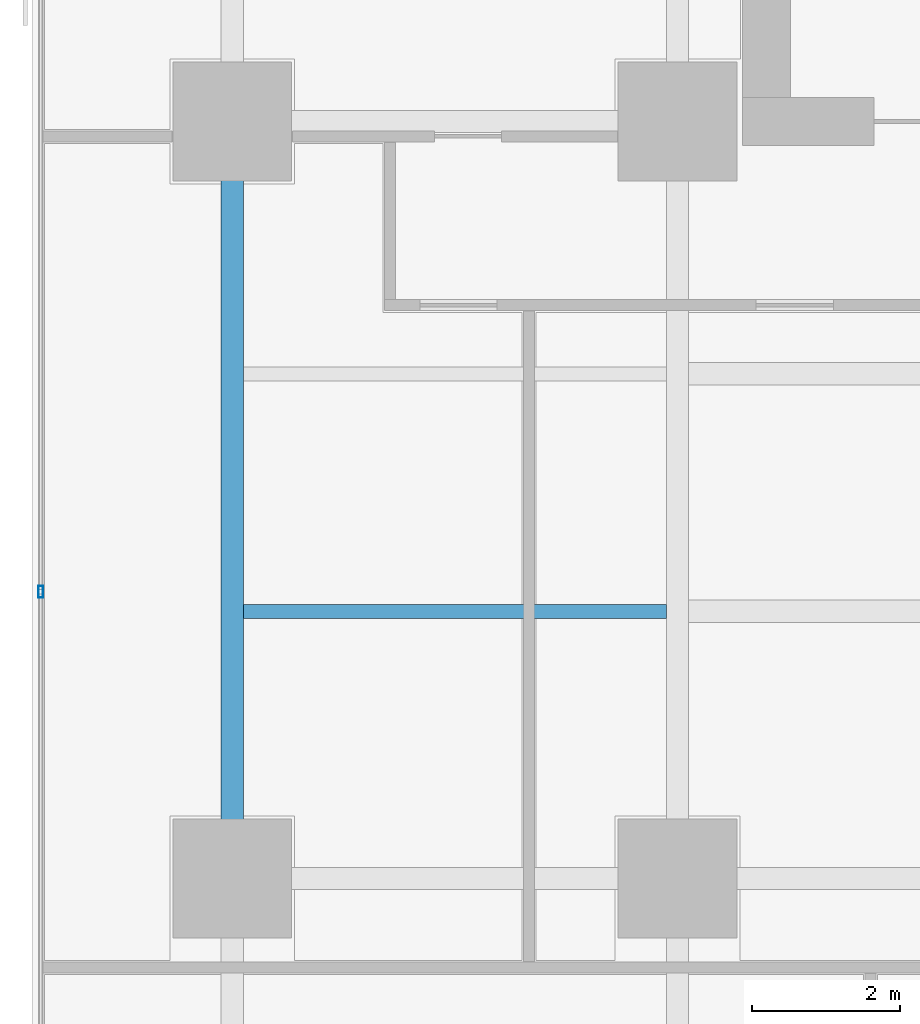
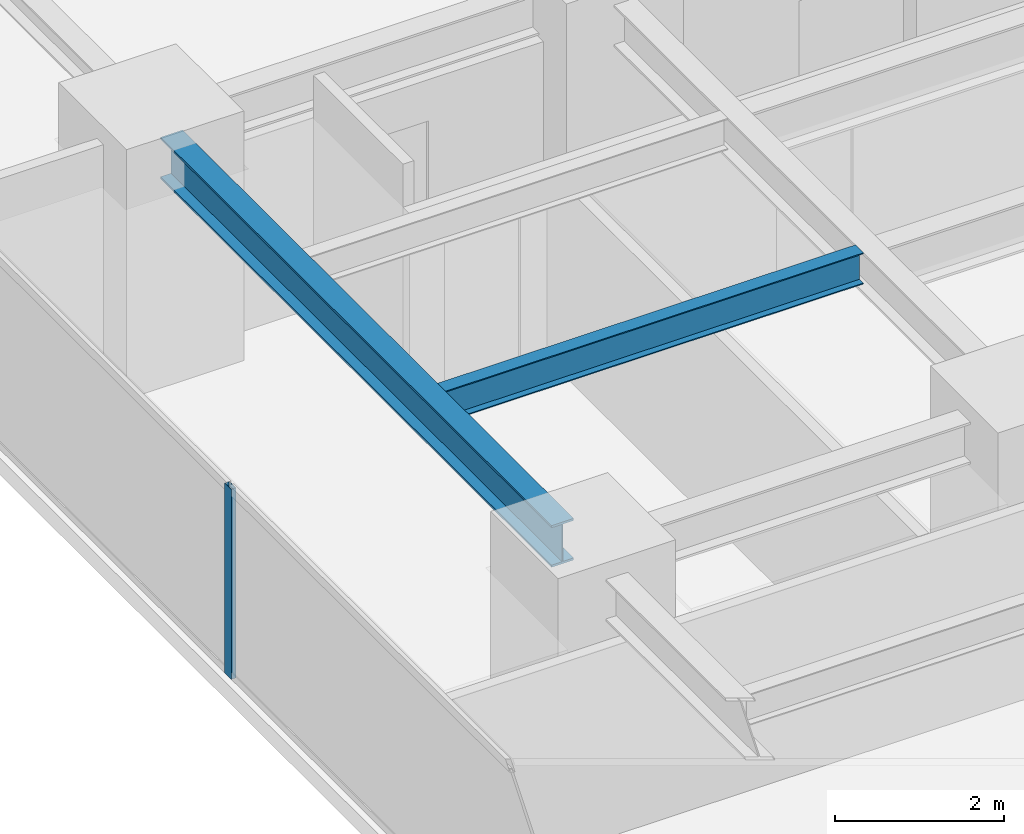
# One storey, part 10 of 36: 2 beams, 1 member, 1 element without a shape of its own.
"""IFC4 building model written with IfcOpenShell, lengths in metres."""

from ifc_helpers import new_model, si_unit, direction, frame, origin, origin_2d, place, context, subcontext, project, spatial, hollow_rectangle, i_section, extrude, source, transform, mapped, material, layer, layer_set, material_profile, profile_set, type_object, element, aggregate, save


model = new_model("IFC4")

# Units and contexts
model_context = context("Model", 3, precision=1e-05, world=origin(), true_north=direction((0.0, 1.0)))
body_context = subcontext(model_context, "Body", "Model", "MODEL_VIEW")
ifc_project = project(units=[si_unit("LENGTHUNIT", "METRE"), si_unit("AREAUNIT", "SQUARE_METRE"), si_unit("VOLUMEUNIT", "CUBIC_METRE"), si_unit("PLANEANGLEUNIT", "RADIAN"), si_unit("MASSUNIT", "GRAM", prefix="KILO")], contexts=[model_context])

# Site, building, storey
site_placement = place(None, origin())
site = spatial("IfcSite", under=ifc_project, at=site_placement, CompositionType="ELEMENT")
building_placement = place(site_placement, origin())
building = spatial("IfcBuilding", under=site, at=building_placement, Name="Sumidabori Civic Tower", CompositionType="ELEMENT")
storey_placement = place(building_placement, frame((0.0, 0.0, 92.0)))
storey = spatial("IfcBuildingStorey", under=building, at=storey_placement, Name="L23", CompositionType="ELEMENT", Elevation=92.0)

# Beams
ifc_material_1 = material(Name="Steel SN490", Category="steel")
ifc_material_profile_1 = material_profile(ifc_material_1, i_section(OverallWidth=0.300048828125, OverallDepth=0.60009765625, WebThickness=0.015380859375, FlangeThickness=0.030029296875, at=origin_2d()), Name="HE 600 B")
ifc_profile_set_1 = profile_set([ifc_material_profile_1], Name="Steel SN490")
beam_type_1 = type_object("IfcBeamType", Name="BM-GIRD-600", PredefinedType="BEAM", material=ifc_profile_set_1)
shared_shape_1 = source(origin(), body_context, "Body", "SweptSolid", [
    extrude(i_section(OverallWidth=0.300048828125, OverallDepth=0.60009765625, WebThickness=0.015380859375, FlangeThickness=0.030029296875, at=origin_2d()), origin(), (0.0, 0.0, 1.0), 9.239990234375),
])
beam_1_placement = place(storey_placement, frame((-22.800048828125, 0.47998046875, 3.06005859375), z_axis=(0.0, 1.0, 0.0), x_axis=(-1.0, 0.0, 0.0)))
element("IfcBeam", 1, at=beam_1_placement, inside=storey, type_object=beam_type_1, Name="Primary Girder L23 GY-23", PredefinedType="BEAM", context=body_context, shape_type="MappedRepresentation", body=[
    mapped(shared_shape_1, transform((0.0, 0.0, 0.0), x_axis=(1.0, 0.0, 0.0), y_axis=(0.0, 1.0, 0.0), z_axis=(0.0, 0.0, 1.0), scale=1.0)),
])
ifc_material_profile_2 = material_profile(ifc_material_1, i_section(OverallWidth=0.18994140625, OverallDepth=0.449951171875, WebThickness=0.009521484375, FlangeThickness=0.0146484375, at=origin_2d()), Name="IPE 450")
ifc_profile_set_2 = profile_set([ifc_material_profile_2], Name="Steel SN490")
beam_type_2 = type_object("IfcBeamType", Name="BM-JST-450", PredefinedType="JOIST", material=ifc_profile_set_2)
shared_shape_2 = source(origin(), body_context, "Body", "SweptSolid", [
    extrude(i_section(OverallWidth=0.18994140625, OverallDepth=0.449951171875, WebThickness=0.009521484375, FlangeThickness=0.0146484375, at=origin_2d()), origin(), (0.0, 0.0, 1.0), 5.699951171875),
])
beam_2_placement = place(storey_placement, frame((-22.64990234375, 3.60009765625, 3.135009765625), z_axis=(1.0, 0.0, 0.0), x_axis=(0.0, 1.0, 0.0)))
element("IfcBeam", 2, at=beam_2_placement, inside=storey, type_object=beam_type_2, Name="Outer Bay Floor Joist L23 JSTO-47", PredefinedType="JOIST", context=body_context, shape_type="MappedRepresentation", body=[
    mapped(shared_shape_2, transform((0.0, 0.0, 0.0), x_axis=(1.0, 0.0, 0.0), y_axis=(0.0, 1.0, 0.0), z_axis=(0.0, 0.0, 1.0), scale=1.0)),
])

# Curtain wall, member
ifc_material_2 = material(Name="Anodised Bronze Aluminium AW-6063-T6", Category="aluminium")
ifc_layer = layer(ifc_material_2, 0.179931640625, Name="Anodised Bronze Aluminium AW-6063-T6")
ifc_layer_set = layer_set([ifc_layer], Name="Anodised Bronze Aluminium AW-6063-T6")
curtain_wall_type = type_object("IfcCurtainWallType", Name="CW-SYS-3", PredefinedType="NOTDEFINED", material=ifc_layer_set)
curtain_wall_placement = place(storey_placement, origin())
curtain_wall = element("IfcCurtainWall", 3, at=curtain_wall_placement, inside=storey, type_object=curtain_wall_type, Name="Curtain Wall CW:L23:R10", PredefinedType="NOTDEFINED")
ifc_material_profile_3 = material_profile(ifc_material_2, hollow_rectangle(XDim=0.06494140625, YDim=0.159912109375, WallThickness=0.0048828125, at=origin_2d()), Name="ALU MULLION 160x65")
ifc_profile_set_3 = profile_set([ifc_material_profile_3], Name="Anodised Bronze Aluminium AW-6063-T6")
member_type = type_object("IfcMemberType", Name="CW-MUL-160", PredefinedType="MULLION", material=ifc_profile_set_3)
shared_shape_3 = source(origin(), body_context, "Body", "SweptSolid", [
    extrude(hollow_rectangle(XDim=0.06494140625, YDim=0.159912109375, WallThickness=0.0048828125, at=origin_2d()), origin(), (0.0, 0.0, 1.0), 2.739990234375),
])
member_placement = place(storey_placement, frame((-25.3798828125, 3.864013671875, 0.0), z_axis=(0.0, 0.0, 1.0), x_axis=(1.0, 0.0, 0.0)))
member = element("IfcMember", 4, at=member_placement, type_object=member_type, Name="CW-3 mullion 3", PredefinedType="MULLION", context=body_context, shape_type="MappedRepresentation", body=[
    mapped(shared_shape_3, transform((0.0, 0.0, 0.0), x_axis=(1.0, 0.0, 0.0), y_axis=(0.0, 1.0, 0.0), z_axis=(0.0, 0.0, 1.0), scale=1.0)),
])
aggregate(curtain_wall, [member])

save(model, "model.ifc")
